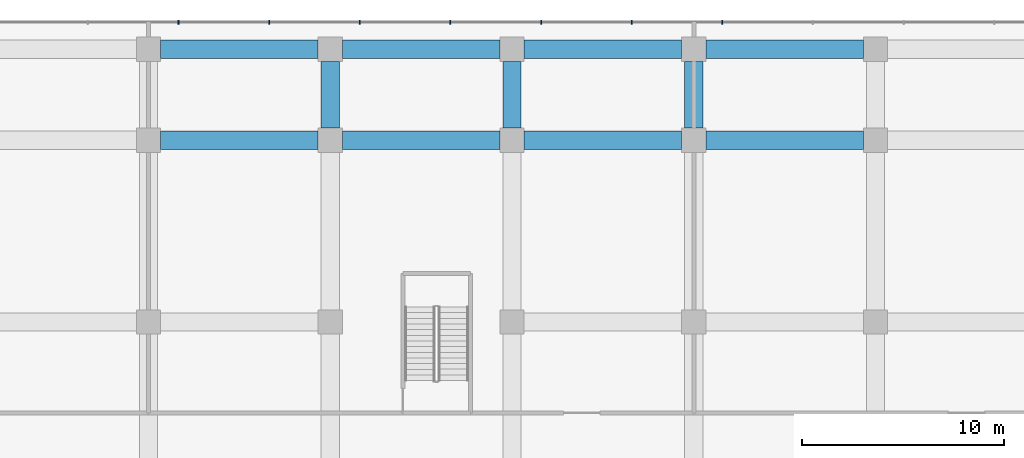
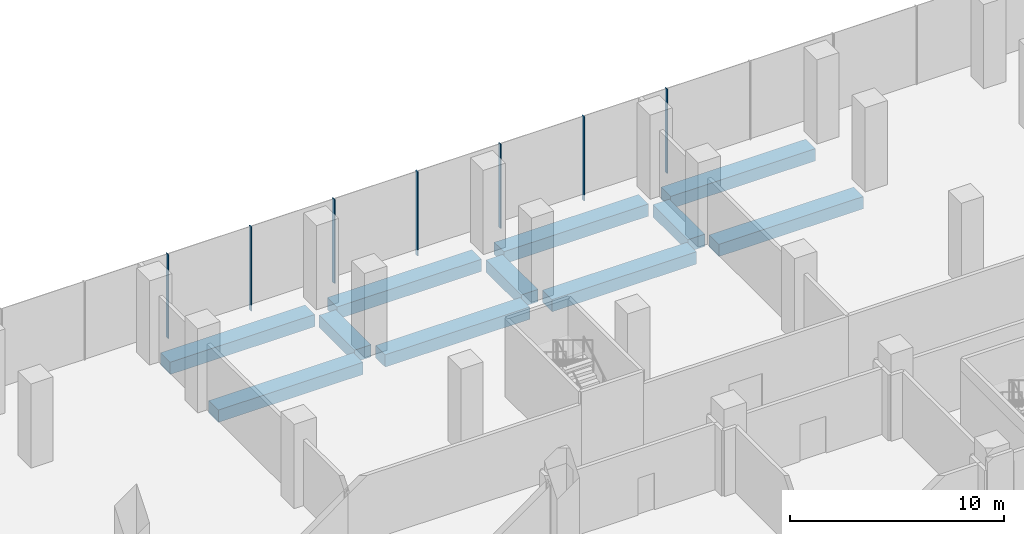
# One storey, part 24 of 42: 11 beams, 7 members, 1 element without a shape of its own.
"""IFC4 building model written with IfcOpenShell, lengths in metres."""

from ifc_helpers import new_model, si_unit, direction, frame, origin, origin_2d, place, context, subcontext, project, spatial, rectangle, extrude, material, layer, layer_set, material_profile, profile_set, type_object, element, aggregate, save


model = new_model("IFC4")

# Units and contexts
model_context = context("Model", 3, precision=1e-05, world=origin(), true_north=direction((0.0, 1.0)))
body_context = subcontext(model_context, "Body", "Model", "MODEL_VIEW")
ifc_project = project(units=[si_unit("LENGTHUNIT", "METRE"), si_unit("AREAUNIT", "SQUARE_METRE"), si_unit("VOLUMEUNIT", "CUBIC_METRE"), si_unit("PLANEANGLEUNIT", "RADIAN"), si_unit("MASSUNIT", "GRAM", prefix="KILO")], contexts=[model_context])

# Site, building, storey
site_placement = place(None, origin())
site = spatial("IfcSite", under=ifc_project, at=site_placement, CompositionType="ELEMENT")
building_placement = place(site_placement, origin())
building = spatial("IfcBuilding", under=site, at=building_placement, Name="Plateau Cross Towers", CompositionType="ELEMENT")
storey_placement = place(building_placement, frame((0.0, 0.0, 8.0)))
storey = spatial("IfcBuildingStorey", under=building, at=storey_placement, Name="L01", CompositionType="ELEMENT", Elevation=8.0)

# Curtain wall, members
ifc_material_1 = material(Name="Dark low-iron laminated glass", Category="glass")
ifc_layer = layer(ifc_material_1, 0.300048828125)
ifc_layer_set = layer_set([ifc_layer], Name="Dark low-iron laminated glass")
curtain_wall_type = type_object("IfcCurtainWallType", Name="Curtain wall structural silicone CW-C", PredefinedType="NOTDEFINED", material=ifc_layer_set)
curtain_wall_placement = place(storey_placement, origin())
curtain_wall = element("IfcCurtainWall", 1, at=curtain_wall_placement, inside=storey, type_object=curtain_wall_type, Name="ENV/P/L01/P1048_598", PredefinedType="NOTDEFINED")
ifc_material_2 = material(Name="Black anodised aluminium", Category="aluminium")
ifc_material_profile_1 = material_profile(ifc_material_2, rectangle(XDim=0.050048828125, YDim=0.199951171875, at=origin_2d()), Name="MULLION 50x200")
ifc_profile_set_1 = profile_set([ifc_material_profile_1], Name="Black anodised aluminium")
member_type = type_object("IfcMemberType", Name="Mullion 50x200 structural silicone", PredefinedType="MULLION", material=ifc_profile_set_1)
member_1_placement = place(storey_placement, frame((82.41259765625, 59.85009765625, -0.35009765625), z_axis=(0.0, 0.0, 1.0), x_axis=(-1.0, 0.0, 0.0)))
member_1 = element("IfcMember", 2, at=member_1_placement, type_object=member_type, Name="CW-C mullion 6", PredefinedType="MULLION", context=body_context, shape_type="SweptSolid", body=[
    extrude(rectangle(XDim=0.050048828125, YDim=0.199951171875, at=origin_2d()), origin(), (0.0, 0.0, 1.0), 4.800048828125),
])
member_2_placement = place(storey_placement, frame((77.925048828125, 59.85009765625, -0.35009765625), z_axis=(0.0, 0.0, 1.0), x_axis=(-1.0, 0.0, 0.0)))
member_2 = element("IfcMember", 3, at=member_2_placement, type_object=member_type, Name="CW-C mullion 7", PredefinedType="MULLION", context=body_context, shape_type="SweptSolid", body=[
    extrude(rectangle(XDim=0.050048828125, YDim=0.199951171875, at=origin_2d()), origin(), (0.0, 0.0, 1.0), 4.800048828125),
])
member_3_placement = place(storey_placement, frame((73.4375, 59.85009765625, -0.35009765625), z_axis=(0.0, 0.0, 1.0), x_axis=(-1.0, 0.0, 0.0)))
member_3 = element("IfcMember", 4, at=member_3_placement, type_object=member_type, Name="CW-C mullion 8", PredefinedType="MULLION", context=body_context, shape_type="SweptSolid", body=[
    extrude(rectangle(XDim=0.050048828125, YDim=0.199951171875, at=origin_2d()), origin(), (0.0, 0.0, 1.0), 4.800048828125),
])
member_4_placement = place(storey_placement, frame((68.949951171875, 59.85009765625, -0.35009765625), z_axis=(0.0, 0.0, 1.0), x_axis=(-1.0, 0.0, 0.0)))
member_4 = element("IfcMember", 5, at=member_4_placement, type_object=member_type, Name="CW-C mullion 9", PredefinedType="MULLION", context=body_context, shape_type="SweptSolid", body=[
    extrude(rectangle(XDim=0.050048828125, YDim=0.199951171875, at=origin_2d()), origin(), (0.0, 0.0, 1.0), 4.800048828125),
])
member_5_placement = place(storey_placement, frame((64.46240234375, 59.85009765625, -0.35009765625), z_axis=(0.0, 0.0, 1.0), x_axis=(-1.0, 0.0, 0.0)))
member_5 = element("IfcMember", 6, at=member_5_placement, type_object=member_type, Name="CW-C mullion 10", PredefinedType="MULLION", context=body_context, shape_type="SweptSolid", body=[
    extrude(rectangle(XDim=0.050048828125, YDim=0.199951171875, at=origin_2d()), origin(), (0.0, 0.0, 1.0), 4.800048828125),
])
member_6_placement = place(storey_placement, frame((59.97509765625, 59.85009765625, -0.35009765625), z_axis=(0.0, 0.0, 1.0), x_axis=(-1.0, 0.0, 0.0)))
member_6 = element("IfcMember", 7, at=member_6_placement, type_object=member_type, Name="CW-C mullion 11", PredefinedType="MULLION", context=body_context, shape_type="SweptSolid", body=[
    extrude(rectangle(XDim=0.050048828125, YDim=0.199951171875, at=origin_2d()), origin(), (0.0, 0.0, 1.0), 4.800048828125),
])
member_7_placement = place(storey_placement, frame((55.487548828125, 59.85009765625, -0.35009765625), z_axis=(0.0, 0.0, 1.0), x_axis=(-1.0, 0.0, 0.0)))
member_7 = element("IfcMember", 8, at=member_7_placement, type_object=member_type, Name="CW-C mullion 12", PredefinedType="MULLION", context=body_context, shape_type="SweptSolid", body=[
    extrude(rectangle(XDim=0.050048828125, YDim=0.199951171875, at=origin_2d()), origin(), (0.0, 0.0, 1.0), 4.800048828125),
])
aggregate(curtain_wall, [member_1, member_2, member_3, member_4, member_5, member_6, member_7])

# Beams
ifc_material_3 = material(Name="Concrete C50/60", Category="concrete")
ifc_material_profile_2 = material_profile(ifc_material_3, rectangle(XDim=0.89990234375, YDim=0.699951171875, at=origin_2d()), Name="RC 900x700")
ifc_profile_set_2 = profile_set([ifc_material_profile_2], Name="Concrete C50/60")
beam_type = type_object("IfcBeamType", Name="Podium band beam RC 900x700", PredefinedType="BEAM", material=ifc_profile_set_2)
for number, where, z_axis, x_axis, name in (
    (9, (54.60009765625, 54.0, -0.699951171875), (1.0, 0.0, 0.0), (0.0, 1.0, 0.0), "PB74@L01"),
    (10, (63.60009765625, 54.0, -0.699951171875), (1.0, 0.0, 0.0), (0.0, 1.0, 0.0), "PB75@L01"),
    (11, (72.60009765625, 54.0, -0.699951171875), (1.0, 0.0, 0.0), (0.0, 1.0, 0.0), "PB76@L01"),
    (12, (81.60009765625, 54.0, -0.699951171875), (1.0, 0.0, 0.0), (0.0, 1.0, 0.0), "PB77@L01"),
    (13, (54.60009765625, 58.5, -0.699951171875), (1.0, 0.0, 0.0), (0.0, 1.0, 0.0), "PB87@L01"),
    (14, (63.60009765625, 58.5, -0.699951171875), (1.0, 0.0, 0.0), (0.0, 1.0, 0.0), "PB88@L01"),
    (15, (72.60009765625, 58.5, -0.699951171875), (1.0, 0.0, 0.0), (0.0, 1.0, 0.0), "PB89@L01"),
    (16, (81.60009765625, 58.5, -0.699951171875), (1.0, 0.0, 0.0), (0.0, 1.0, 0.0), "PB90@L01"),
):
    element("IfcBeam", number, at=place(storey_placement, frame(where, z_axis=z_axis, x_axis=x_axis)), inside=storey, type_object=beam_type, Name=name, PredefinedType="BEAM", context=body_context, shape_type="SweptSolid", body=[
        extrude(rectangle(XDim=0.89990234375, YDim=0.699951171875, at=origin_2d()), origin(), (0.0, 0.0, 1.0), 7.7998046875),
    ])
for number, where, z_axis, x_axis, name in (
    (17, (63.0, 54.60009765625, -0.699951171875), (0.0, 1.0, 0.0), (-1.0, 0.0, 0.0), "PB156@L01"),
    (18, (72.0, 54.60009765625, -0.699951171875), (0.0, 1.0, 0.0), (-1.0, 0.0, 0.0), "PB160@L01"),
    (19, (81.0, 54.60009765625, -0.699951171875), (0.0, 1.0, 0.0), (-1.0, 0.0, 0.0), "PB164@L01"),
):
    element("IfcBeam", number, at=place(storey_placement, frame(where, z_axis=z_axis, x_axis=x_axis)), inside=storey, type_object=beam_type, Name=name, PredefinedType="BEAM", context=body_context, shape_type="SweptSolid", body=[
        extrude(rectangle(XDim=0.89990234375, YDim=0.699951171875, at=origin_2d()), origin(), (0.0, 0.0, 1.0), 3.2998046875),
    ])

save(model, "model.ifc")
